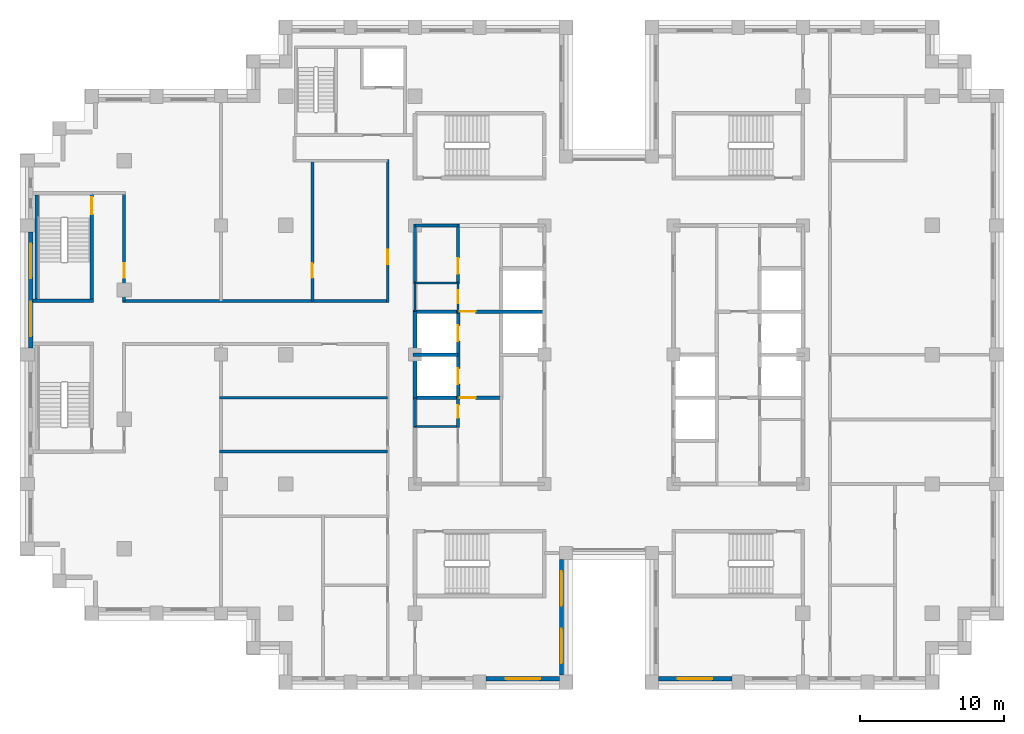
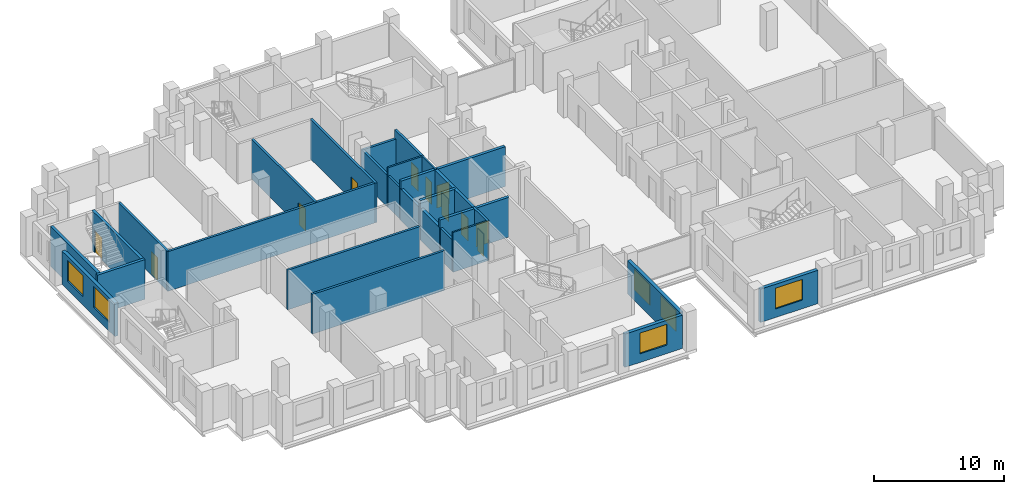
# One storey, part 7 of 15: 27 walls, 11 doors, 6 windows, 17 openings.
"""IFC4 building model written with IfcOpenShell, lengths in metres."""

from ifc_helpers import new_model, si_unit, direction, frame, frame_2d, origin, place, context, subcontext, project, spatial, rectangle, extrude, material, layer, layer_set, type_object, element, fill, save


model = new_model("IFC4")

# Units and contexts
model_context = context("Model", 3, precision=1e-05, world=origin(), true_north=direction((0.0, 1.0)))
body_context = subcontext(model_context, "Body", "Model", "MODEL_VIEW")
ifc_project = project(units=[si_unit("LENGTHUNIT", "METRE"), si_unit("AREAUNIT", "SQUARE_METRE"), si_unit("VOLUMEUNIT", "CUBIC_METRE"), si_unit("PLANEANGLEUNIT", "RADIAN"), si_unit("MASSUNIT", "GRAM", prefix="KILO")], contexts=[model_context])

# Site, building, storey
site_placement = place(None, origin())
site = spatial("IfcSite", under=ifc_project, at=site_placement, CompositionType="ELEMENT")
building_placement = place(site_placement, origin())
building = spatial("IfcBuilding", under=site, at=building_placement, Name="Corbelhall Arena Tower", CompositionType="ELEMENT")
storey_placement = place(building_placement, frame((0.0, 0.0, 208.0)))
storey = spatial("IfcBuildingStorey", under=building, at=storey_placement, Name="L43", CompositionType="ELEMENT", Elevation=208.0)

# Wall, openings, windows
ifc_material_1 = material(Name="Precast concrete C40/50 with granite facing", Category="masonry")
ifc_layer_1 = layer(ifc_material_1, 0.300048828125)
ifc_layer_set_1 = layer_set([ifc_layer_1], Name="EV-IW1 Infill panel 300")
wall_type_1 = type_object("IfcWallType", Name="EV-IW1 Infill panel 300", PredefinedType="SOLIDWALL", material=ifc_layer_set_1)
wall_1_placement = place(storey_placement, frame((-40.25, 8.550048828125, 0.0), z_axis=(0.0, 0.0, 1.0), x_axis=(0.0, -1.0, 0.0)))
wall_1 = element("IfcWall", 1, at=wall_1_placement, inside=storey, type_object=wall_type_1, Name="Infill panel IW1", PredefinedType="SOLIDWALL", context=body_context, shape_type="SweptSolid", body=[
    extrude(rectangle(XDim=8.10009765625, YDim=0.300048828125, at=frame_2d((4.050048828125, 0.0))), origin(), (0.0, 0.0, 1.0), 3.1201171875),
])
opening_1_placement = place(wall_1_placement, frame((0.824951171875, 0.0, 0.800048828125)))
opening_1 = element("IfcOpeningElement", 2, at=opening_1_placement, cuts=wall_1, Name="Opening WN1", PredefinedType="OPENING", context=body_context, shape_type="SweptSolid", body=[
    extrude(rectangle(XDim=2.39990234375, YDim=1.949951171875, at=frame_2d((1.199951171875, 0.97509765625))), frame((0.0, 0.14990234375, 0.0), z_axis=(0.0, -1.0, 0.0), x_axis=(1.0, 0.0, 0.0)), (0.0, 0.0, 1.0), 0.300048828125),
])
opening_2_placement = place(wall_1_placement, frame((4.875, 0.0, 0.800048828125)))
opening_2 = element("IfcOpeningElement", 3, at=opening_2_placement, cuts=wall_1, Name="Opening WN1", PredefinedType="OPENING", context=body_context, shape_type="SweptSolid", body=[
    extrude(rectangle(XDim=2.39990234375, YDim=1.949951171875, at=frame_2d((1.199951171875, 0.97509765625))), frame((0.0, 0.14990234375, 0.0), z_axis=(0.0, -1.0, 0.0), x_axis=(1.0, 0.0, 0.0)), (0.0, 0.0, 1.0), 0.300048828125),
])
ifc_material_2 = material(Name="Aluminium black anodised", Category="aluminium")
window_type = type_object("IfcWindowType", Name="EV-WN1 Office window", PartitioningType="SINGLE_PANEL", PredefinedType="WINDOW", material=ifc_material_2)
window_1_placement = place(opening_1_placement, origin())
window_1 = element("IfcWindow", 4, at=window_1_placement, inside=storey, type_object=window_type, Name="Window WN1", OverallHeight=1.949951171875, OverallWidth=2.39990234375, PartitioningType="SINGLE_PANEL", PredefinedType="WINDOW", context=body_context, shape_type="SweptSolid", body=[
    extrude(rectangle(XDim=2.39990234375, YDim=1.949951171875, at=frame_2d((1.199951171875, 0.97509765625))), frame((0.0, 0.030029296875, 0.0), z_axis=(0.0, -1.0, 0.0), x_axis=(1.0, 0.0, 0.0)), (0.0, 0.0, 1.0), 0.06005859375),
])
fill(opening_1, window_1)
window_2_placement = place(opening_2_placement, origin())
window_2 = element("IfcWindow", 5, at=window_2_placement, inside=storey, type_object=window_type, Name="Window WN1", OverallHeight=1.949951171875, OverallWidth=2.39990234375, PartitioningType="SINGLE_PANEL", PredefinedType="WINDOW", context=body_context, shape_type="SweptSolid", body=[
    extrude(rectangle(XDim=2.39990234375, YDim=1.949951171875, at=frame_2d((1.199951171875, 0.97509765625))), frame((0.0, 0.030029296875, 0.0), z_axis=(0.0, -1.0, 0.0), x_axis=(1.0, 0.0, 0.0)), (0.0, 0.0, 1.0), 0.06005859375),
])
fill(opening_2, window_2)

# Wall, opening, window
wall_2_placement = place(storey_placement, frame((-8.550048828125, -22.550048828125, 0.0), z_axis=(0.0, 0.0, 1.0), x_axis=(1.0, 0.0, 0.0)))
wall_2 = element("IfcWall", 6, at=wall_2_placement, inside=storey, type_object=wall_type_1, Name="Infill panel IW1", PredefinedType="SOLIDWALL", context=body_context, shape_type="SweptSolid", body=[
    extrude(rectangle(XDim=5.10009765625, YDim=0.300048828125, at=frame_2d((2.550048828125, 0.0))), origin(), (0.0, 0.0, 1.0), 3.1201171875),
])
opening_3_placement = place(wall_2_placement, frame((1.35009765625, 0.0, 0.800048828125)))
opening_3 = element("IfcOpeningElement", 7, at=opening_3_placement, cuts=wall_2, Name="Opening WN1", PredefinedType="OPENING", context=body_context, shape_type="SweptSolid", body=[
    extrude(rectangle(XDim=2.39990234375, YDim=1.949951171875, at=frame_2d((1.199951171875, 0.97509765625))), frame((0.0, 0.14990234375, 0.0), z_axis=(0.0, -1.0, 0.0), x_axis=(1.0, 0.0, 0.0)), (0.0, 0.0, 1.0), 0.300048828125),
])
window_3_placement = place(opening_3_placement, origin())
window_3 = element("IfcWindow", 8, at=window_3_placement, inside=storey, type_object=window_type, Name="Window WN1", OverallHeight=1.949951171875, OverallWidth=2.39990234375, PartitioningType="SINGLE_PANEL", PredefinedType="WINDOW", context=body_context, shape_type="SweptSolid", body=[
    extrude(rectangle(XDim=2.39990234375, YDim=1.949951171875, at=frame_2d((1.199951171875, 0.97509765625))), frame((0.0, 0.030029296875, 0.0), z_axis=(0.0, -1.0, 0.0), x_axis=(1.0, 0.0, 0.0)), (0.0, 0.0, 1.0), 0.06005859375),
])
fill(opening_3, window_3)

# Wall, openings, windows
wall_3_placement = place(storey_placement, frame((-3.300048828125, -22.300048828125, 0.0), z_axis=(0.0, 0.0, 1.0), x_axis=(0.0, 1.0, 0.0)))
wall_3 = element("IfcWall", 9, at=wall_3_placement, inside=storey, type_object=wall_type_1, Name="Infill panel IW1", PredefinedType="SOLIDWALL", context=body_context, shape_type="SweptSolid", body=[
    extrude(rectangle(XDim=8.050048828125, YDim=0.300048828125, at=frame_2d((4.02490234375, 0.0))), origin(), (0.0, 0.0, 1.0), 3.1201171875),
])
opening_4_placement = place(wall_3_placement, frame((0.8125, 0.0, 0.800048828125)))
opening_4 = element("IfcOpeningElement", 10, at=opening_4_placement, cuts=wall_3, Name="Opening WN1", PredefinedType="OPENING", context=body_context, shape_type="SweptSolid", body=[
    extrude(rectangle(XDim=2.39990234375, YDim=1.949951171875, at=frame_2d((1.199951171875, 0.97509765625))), frame((0.0, 0.14990234375, 0.0), z_axis=(0.0, -1.0, 0.0), x_axis=(1.0, 0.0, 0.0)), (0.0, 0.0, 1.0), 0.300048828125),
])
opening_5_placement = place(wall_3_placement, frame((4.83740234375, 0.0, 0.800048828125)))
opening_5 = element("IfcOpeningElement", 11, at=opening_5_placement, cuts=wall_3, Name="Opening WN1", PredefinedType="OPENING", context=body_context, shape_type="SweptSolid", body=[
    extrude(rectangle(XDim=2.39990234375, YDim=1.949951171875, at=frame_2d((1.199951171875, 0.97509765625))), frame((0.0, 0.14990234375, 0.0), z_axis=(0.0, -1.0, 0.0), x_axis=(1.0, 0.0, 0.0)), (0.0, 0.0, 1.0), 0.300048828125),
])
window_4_placement = place(opening_4_placement, origin())
window_4 = element("IfcWindow", 12, at=window_4_placement, inside=storey, type_object=window_type, Name="Window WN1", OverallHeight=1.949951171875, OverallWidth=2.39990234375, PartitioningType="SINGLE_PANEL", PredefinedType="WINDOW", context=body_context, shape_type="SweptSolid", body=[
    extrude(rectangle(XDim=2.39990234375, YDim=1.949951171875, at=frame_2d((1.199951171875, 0.97509765625))), frame((0.0, 0.030029296875, 0.0), z_axis=(0.0, -1.0, 0.0), x_axis=(1.0, 0.0, 0.0)), (0.0, 0.0, 1.0), 0.06005859375),
])
fill(opening_4, window_4)
window_5_placement = place(opening_5_placement, origin())
window_5 = element("IfcWindow", 13, at=window_5_placement, inside=storey, type_object=window_type, Name="Window WN1", OverallHeight=1.949951171875, OverallWidth=2.39990234375, PartitioningType="SINGLE_PANEL", PredefinedType="WINDOW", context=body_context, shape_type="SweptSolid", body=[
    extrude(rectangle(XDim=2.39990234375, YDim=1.949951171875, at=frame_2d((1.199951171875, 0.97509765625))), frame((0.0, 0.030029296875, 0.0), z_axis=(0.0, -1.0, 0.0), x_axis=(1.0, 0.0, 0.0)), (0.0, 0.0, 1.0), 0.06005859375),
])
fill(opening_5, window_5)

# Wall, opening, window
wall_4_placement = place(storey_placement, frame((3.449951171875, -22.550048828125, 0.0), z_axis=(0.0, 0.0, 1.0), x_axis=(1.0, 0.0, 0.0)))
wall_4 = element("IfcWall", 14, at=wall_4_placement, inside=storey, type_object=wall_type_1, Name="Infill panel IW1", PredefinedType="SOLIDWALL", context=body_context, shape_type="SweptSolid", body=[
    extrude(rectangle(XDim=5.10009765625, YDim=0.300048828125, at=frame_2d((2.550048828125, 0.0))), origin(), (0.0, 0.0, 1.0), 3.1201171875),
])
opening_6_placement = place(wall_4_placement, frame((1.35009765625, 0.0, 0.800048828125)))
opening_6 = element("IfcOpeningElement", 15, at=opening_6_placement, cuts=wall_4, Name="Opening WN1", PredefinedType="OPENING", context=body_context, shape_type="SweptSolid", body=[
    extrude(rectangle(XDim=2.39990234375, YDim=1.949951171875, at=frame_2d((1.199951171875, 0.97509765625))), frame((0.0, 0.14990234375, 0.0), z_axis=(0.0, -1.0, 0.0), x_axis=(1.0, 0.0, 0.0)), (0.0, 0.0, 1.0), 0.300048828125),
])
window_6_placement = place(opening_6_placement, origin())
window_6 = element("IfcWindow", 16, at=window_6_placement, inside=storey, type_object=window_type, Name="Window WN1", OverallHeight=1.949951171875, OverallWidth=2.39990234375, PartitioningType="SINGLE_PANEL", PredefinedType="WINDOW", context=body_context, shape_type="SweptSolid", body=[
    extrude(rectangle(XDim=2.39990234375, YDim=1.949951171875, at=frame_2d((1.199951171875, 0.97509765625))), frame((0.0, 0.030029296875, 0.0), z_axis=(0.0, -1.0, 0.0), x_axis=(1.0, 0.0, 0.0)), (0.0, 0.0, 1.0), 0.06005859375),
])
fill(opening_6, window_6)

# Wall
ifc_material_3 = material(Name="Gypsum board on steel stud, acoustic", Category="steel")
ifc_layer_2 = layer(ifc_material_3, 0.199951171875)
ifc_layer_set_2 = layer_set([ifc_layer_2], Name="IN-W-DM200")
wall_type_2 = type_object("IfcWallType", Name="IN-W-DM200", PredefinedType="PARTITIONING", material=ifc_layer_set_2)
wall_5_placement = place(storey_placement, frame((-33.85009765625, 3.75, 0.0), z_axis=(0.0, 0.0, 1.0), x_axis=(1.0, 0.0, 0.0)))
element("IfcWall", 17, at=wall_5_placement, inside=storey, type_object=wall_type_2, Name="Partition 002", PredefinedType="PARTITIONING", context=body_context, shape_type="SweptSolid", body=[
    extrude(rectangle(XDim=18.4501953125, YDim=0.199951171875, at=frame_2d((9.22509765625, 0.0))), origin(), (0.0, 0.0, 1.0), 3.719970703125),
])

# Wall, opening, door
wall_6_placement = place(storey_placement, frame((-33.75, 11.25, 0.0), z_axis=(0.0, 0.0, 1.0), x_axis=(0.0, -1.0, 0.0)))
wall_6 = element("IfcWall", 18, at=wall_6_placement, inside=storey, type_object=wall_type_2, Name="Partition 005", PredefinedType="PARTITIONING", context=body_context, shape_type="SweptSolid", body=[
    extrude(rectangle(XDim=7.5, YDim=0.199951171875, at=frame_2d((3.75, 0.0))), origin(), (0.0, 0.0, 1.0), 3.719970703125),
])
opening_7_placement = place(wall_6_placement, frame((4.89990234375, 0.0, 0.0)))
opening_7 = element("IfcOpeningElement", 19, at=opening_7_placement, cuts=wall_6, Name="Opening 13040", PredefinedType="OPENING", context=body_context, shape_type="SweptSolid", body=[
    extrude(rectangle(XDim=1.0, YDim=2.10009765625, at=frame_2d((0.5, 1.050048828125))), frame((0.0, 0.10009765625, 0.0), z_axis=(0.0, -1.0, 0.0), x_axis=(1.0, 0.0, 0.0)), (0.0, 0.0, 1.0), 0.199951171875),
])
ifc_material_4 = material(Name="Steel door set", Category="steel")
door_type_1 = type_object("IfcDoorType", Name="IN-D-SW100", OperationType="NOTDEFINED", PredefinedType="DOOR", material=ifc_material_4)
door_1_placement = place(opening_7_placement, origin())
door_1 = element("IfcDoor", 20, at=door_1_placement, inside=storey, type_object=door_type_1, Name="Door 040", OperationType="SINGLE_SWING_LEFT", OverallHeight=2.10009765625, OverallWidth=1.0, PredefinedType="DOOR", context=body_context, shape_type="SweptSolid", body=[
    extrude(rectangle(XDim=1.0, YDim=2.10009765625, at=frame_2d((0.5, 1.050048828125))), frame((0.0, 0.02490234375, 0.0), z_axis=(0.0, -1.0, 0.0), x_axis=(1.0, 0.0, 0.0)), (0.0, 0.0, 1.0), 0.050048828125),
])
fill(opening_7, door_1)

# Walls
for number, where, z_axis, x_axis, name in (
    (21, (-27.10009765625, -6.75, 0.0), (0.0, 0.0, 1.0), (1.0, 0.0, 0.0), "Partition 007"),
    (22, (-27.10009765625, -3.0, 0.0), (0.0, 0.0, 1.0), (1.0, 0.0, 0.0), "Partition 008"),
):
    element("IfcWall", number, at=place(storey_placement, frame(where, z_axis=z_axis, x_axis=x_axis)), inside=storey, type_object=wall_type_2, Name=name, PredefinedType="PARTITIONING", context=body_context, shape_type="SweptSolid", body=[
        extrude(rectangle(XDim=11.7001953125, YDim=0.199951171875, at=frame_2d((5.85009765625, 0.0))), origin(), (0.0, 0.0, 1.0), 3.719970703125),
    ])

# Wall, opening, door
wall_7_placement = place(storey_placement, frame((-20.64990234375, 3.75, 0.0), z_axis=(0.0, 0.0, 1.0), x_axis=(0.0, 1.0, 0.0)))
wall_7 = element("IfcWall", 23, at=wall_7_placement, inside=storey, type_object=wall_type_2, Name="Partition 013", PredefinedType="PARTITIONING", context=body_context, shape_type="SweptSolid", body=[
    extrude(rectangle(XDim=9.75, YDim=0.199951171875, at=frame_2d((4.875, 0.0))), origin(), (0.0, 0.0, 1.0), 3.719970703125),
])
opening_8_placement = place(wall_7_placement, frame((1.60009765625, 0.0, 0.0)))
opening_8 = element("IfcOpeningElement", 24, at=opening_8_placement, cuts=wall_7, Name="Opening 13025", PredefinedType="OPENING", context=body_context, shape_type="SweptSolid", body=[
    extrude(rectangle(XDim=1.0, YDim=2.10009765625, at=frame_2d((0.5, 1.050048828125))), frame((0.0, 0.10009765625, 0.0), z_axis=(0.0, -1.0, 0.0), x_axis=(1.0, 0.0, 0.0)), (0.0, 0.0, 1.0), 0.199951171875),
])
door_2_placement = place(opening_8_placement, origin())
door_2 = element("IfcDoor", 25, at=door_2_placement, inside=storey, type_object=door_type_1, Name="Door 025", OperationType="SINGLE_SWING_RIGHT", OverallHeight=2.10009765625, OverallWidth=1.0, PredefinedType="DOOR", context=body_context, shape_type="SweptSolid", body=[
    extrude(rectangle(XDim=1.0, YDim=2.10009765625, at=frame_2d((0.5, 1.050048828125))), frame((0.0, 0.02490234375, 0.0), z_axis=(0.0, -1.0, 0.0), x_axis=(1.0, 0.0, 0.0)), (0.0, 0.0, 1.0), 0.050048828125),
])
fill(opening_8, door_2)

wall_8_placement = place(storey_placement, frame((-15.39990234375, 3.64990234375, 0.0), z_axis=(0.0, 0.0, 1.0), x_axis=(0.0, 1.0, 0.0)))
wall_8 = element("IfcWall", 26, at=wall_8_placement, inside=storey, type_object=wall_type_2, Name="Partition 018", PredefinedType="PARTITIONING", context=body_context, shape_type="SweptSolid", body=[
    extrude(rectangle(XDim=9.9501953125, YDim=0.199951171875, at=frame_2d((4.97509765625, 0.0))), origin(), (0.0, 0.0, 1.0), 3.719970703125),
])
opening_9_placement = place(wall_8_placement, frame((2.64990234375, 0.0, 0.0)))
opening_9 = element("IfcOpeningElement", 27, at=opening_9_placement, cuts=wall_8, Name="Opening 13024", PredefinedType="OPENING", context=body_context, shape_type="SweptSolid", body=[
    extrude(rectangle(XDim=1.0, YDim=2.10009765625, at=frame_2d((0.5, 1.050048828125))), frame((0.0, 0.10009765625, 0.0), z_axis=(0.0, -1.0, 0.0), x_axis=(1.0, 0.0, 0.0)), (0.0, 0.0, 1.0), 0.199951171875),
])
door_3_placement = place(opening_9_placement, origin())
door_3 = element("IfcDoor", 28, at=door_3_placement, inside=storey, type_object=door_type_1, Name="Door 024", OperationType="SINGLE_SWING_LEFT", OverallHeight=2.10009765625, OverallWidth=1.0, PredefinedType="DOOR", context=body_context, shape_type="SweptSolid", body=[
    extrude(rectangle(XDim=1.0, YDim=2.10009765625, at=frame_2d((0.5, 1.050048828125))), frame((0.0, 0.02490234375, 0.0), z_axis=(0.0, -1.0, 0.0), x_axis=(1.0, 0.0, 0.0)), (0.0, 0.0, 1.0), 0.050048828125),
])
fill(opening_9, door_3)

ifc_material_5 = material(Name="Concrete block wall", Category="concrete")
ifc_layer_3 = layer(ifc_material_5, 0.199951171875)
ifc_layer_set_3 = layer_set([ifc_layer_3], Name="IN-W-RS200")
wall_type_3 = type_object("IfcWallType", Name="IN-W-RS200", PredefinedType="SOLIDWALL", material=ifc_layer_set_3)
wall_9_placement = place(storey_placement, frame((-10.5, -5.074951171875, 0.0), z_axis=(0.0, 0.0, 1.0), x_axis=(0.0, 1.0, 0.0)))
wall_9 = element("IfcWall", 29, at=wall_9_placement, inside=storey, type_object=wall_type_3, Name="Partition 037", PredefinedType="SOLIDWALL", context=body_context, shape_type="SweptSolid", body=[
    extrude(rectangle(XDim=2.199951171875, YDim=0.199951171875, at=frame_2d((1.10009765625, 0.0))), origin(), (0.0, 0.0, 1.0), 3.719970703125),
])
opening_10_placement = place(wall_9_placement, frame((0.669921875, 0.0, 0.0)))
opening_10 = element("IfcOpeningElement", 30, at=opening_10_placement, cuts=wall_9, Name="Opening 13042", PredefinedType="OPENING", context=body_context, shape_type="SweptSolid", body=[
    extrude(rectangle(XDim=0.89990234375, YDim=2.10009765625, at=frame_2d((0.449951171875, 1.050048828125))), frame((0.0, 0.10009765625, 0.0), z_axis=(0.0, -1.0, 0.0), x_axis=(1.0, 0.0, 0.0)), (0.0, 0.0, 1.0), 0.199951171875),
])
ifc_material_6 = material(Name="Timber door set", Category="wood")
door_type_2 = type_object("IfcDoorType", Name="IN-D-SW90", OperationType="NOTDEFINED", PredefinedType="DOOR", material=ifc_material_6)
door_4_placement = place(opening_10_placement, origin())
door_4 = element("IfcDoor", 31, at=door_4_placement, inside=storey, type_object=door_type_2, Name="Door 042", OperationType="SINGLE_SWING_LEFT", OverallHeight=2.10009765625, OverallWidth=0.89990234375, PredefinedType="DOOR", context=body_context, shape_type="SweptSolid", body=[
    extrude(rectangle(XDim=0.89990234375, YDim=2.10009765625, at=frame_2d((0.449951171875, 1.050048828125))), frame((0.0, 0.02490234375, 0.0), z_axis=(0.0, -1.0, 0.0), x_axis=(1.0, 0.0, 0.0)), (0.0, 0.0, 1.0), 0.050048828125),
])
fill(opening_10, door_4)

wall_10_placement = place(storey_placement, frame((-10.5, 4.925048828125, 0.0), z_axis=(0.0, 0.0, 1.0), x_axis=(0.0, 1.0, 0.0)))
wall_10 = element("IfcWall", 32, at=wall_10_placement, inside=storey, type_object=wall_type_3, Name="Partition 038", PredefinedType="SOLIDWALL", context=body_context, shape_type="SweptSolid", body=[
    extrude(rectangle(XDim=4.175048828125, YDim=0.199951171875, at=frame_2d((2.08740234375, 0.0))), origin(), (0.0, 0.0, 1.0), 3.719970703125),
])
opening_11_placement = place(wall_10_placement, frame((0.699951171875, 0.0, 0.0)))
opening_11 = element("IfcOpeningElement", 33, at=opening_11_placement, cuts=wall_10, Name="Opening 13007", PredefinedType="OPENING", context=body_context, shape_type="SweptSolid", body=[
    extrude(rectangle(XDim=1.10009765625, YDim=2.10009765625, at=frame_2d((0.550048828125, 1.050048828125))), frame((0.0, 0.10009765625, 0.0), z_axis=(0.0, -1.0, 0.0), x_axis=(1.0, 0.0, 0.0)), (0.0, 0.0, 1.0), 0.199951171875),
])
door_type_3 = type_object("IfcDoorType", Name="IN-D-FD110", OperationType="NOTDEFINED", PredefinedType="DOOR", material=ifc_material_4)
door_5_placement = place(opening_11_placement, origin())
door_5 = element("IfcDoor", 34, at=door_5_placement, inside=storey, type_object=door_type_3, Name="Door 007", OperationType="SINGLE_SWING_RIGHT", OverallHeight=2.10009765625, OverallWidth=1.10009765625, PredefinedType="DOOR", context=body_context, shape_type="SweptSolid", body=[
    extrude(rectangle(XDim=1.10009765625, YDim=2.10009765625, at=frame_2d((0.550048828125, 1.050048828125))), frame((0.0, 0.02490234375, 0.0), z_axis=(0.0, -1.0, 0.0), x_axis=(1.0, 0.0, 0.0)), (0.0, 0.0, 1.0), 0.050048828125),
])
fill(opening_11, door_5)

# Walls
ifc_layer_4 = layer(ifc_material_5, 0.199951171875)
ifc_layer_set_4 = layer_set([ifc_layer_4], Name="IN-W-RS200 under beam 762 mm")
wall_type_4 = type_object("IfcWallType", Name="IN-W-RS200 under beam 762 mm", PredefinedType="SOLIDWALL", material=ifc_layer_set_4)
wall_11_placement = place(storey_placement, frame((-13.5, -5.0, 0.0), z_axis=(0.0, 0.0, 1.0), x_axis=(0.0, 1.0, 0.0)))
element("IfcWall", 35, at=wall_11_placement, inside=storey, type_object=wall_type_4, Name="Partition 034", PredefinedType="SOLIDWALL", context=body_context, shape_type="SweptSolid", body=[
    extrude(rectangle(XDim=2.0, YDim=0.199951171875, at=frame_2d((1.0, 0.0))), origin(), (0.0, 0.0, 1.0), 2.9580078125),
])
wall_12_placement = place(storey_placement, frame((-13.5, 5.0, 0.0), z_axis=(0.0, 0.0, 1.0), x_axis=(0.0, 1.0, 0.0)))
element("IfcWall", 36, at=wall_12_placement, inside=storey, type_object=wall_type_4, Name="Partition 035", PredefinedType="SOLIDWALL", context=body_context, shape_type="SweptSolid", body=[
    extrude(rectangle(XDim=4.10009765625, YDim=0.199951171875, at=frame_2d((2.050048828125, 0.0))), origin(), (0.0, 0.0, 1.0), 2.9580078125),
])
wall_13_placement = place(storey_placement, frame((-13.5, 9.0, 0.0), z_axis=(0.0, 0.0, 1.0), x_axis=(1.0, 0.0, 0.0)))
element("IfcWall", 37, at=wall_13_placement, inside=storey, type_object=wall_type_4, Name="Partition 036", PredefinedType="SOLIDWALL", context=body_context, shape_type="SweptSolid", body=[
    extrude(rectangle(XDim=3.0, YDim=0.199951171875, at=frame_2d((1.5, 0.0))), origin(), (0.0, 0.0, 1.0), 2.9580078125),
])
ifc_material_7 = material(Name="Concrete C40/50", Category="concrete")
ifc_layer_5 = layer(ifc_material_7, 0.25)
ifc_layer_set_5 = layer_set([ifc_layer_5], Name="IN-W-SH250")
wall_type_5 = type_object("IfcWallType", Name="IN-W-SH250", PredefinedType="SOLIDWALL", material=ifc_layer_set_5)
wall_14_placement = place(storey_placement, frame((-13.625, 0.0, 0.0), z_axis=(0.0, 0.0, 1.0), x_axis=(1.0, 0.0, 0.0)))
element("IfcWall", 38, at=wall_14_placement, inside=storey, type_object=wall_type_5, Name="Shaft wall 056", PredefinedType="SOLIDWALL", context=body_context, shape_type="SweptSolid", body=[
    extrude(rectangle(XDim=3.125, YDim=0.25, at=frame_2d((1.5625, 0.0))), origin(), (0.0, 0.0, 1.0), 3.719970703125),
])

# Wall, opening, door
wall_15_placement = place(storey_placement, frame((-13.625, 3.0, 0.0), z_axis=(0.0, 0.0, 1.0), x_axis=(1.0, 0.0, 0.0)))
wall_15 = element("IfcWall", 39, at=wall_15_placement, inside=storey, type_object=wall_type_5, Name="Shaft wall 057", PredefinedType="SOLIDWALL", context=body_context, shape_type="SweptSolid", body=[
    extrude(rectangle(XDim=9.25, YDim=0.25, at=frame_2d((4.625, 0.0))), origin(), (0.0, 0.0, 1.0), 3.719970703125),
])
opening_12_placement = place(wall_15_placement, frame((3.25, 0.0, 0.0)))
opening_12 = element("IfcOpeningElement", 40, at=opening_12_placement, cuts=wall_15, Name="Opening 13004", PredefinedType="OPENING", context=body_context, shape_type="SweptSolid", body=[
    extrude(rectangle(XDim=1.10009765625, YDim=2.10009765625, at=frame_2d((0.550048828125, 1.050048828125))), frame((0.0, 0.125, 0.0), z_axis=(0.0, -1.0, 0.0), x_axis=(1.0, 0.0, 0.0)), (0.0, 0.0, 1.0), 0.25),
])
door_6_placement = place(opening_12_placement, origin())
door_6 = element("IfcDoor", 41, at=door_6_placement, inside=storey, type_object=door_type_3, Name="Door 004", OperationType="SINGLE_SWING_LEFT", OverallHeight=2.10009765625, OverallWidth=1.10009765625, PredefinedType="DOOR", context=body_context, shape_type="SweptSolid", body=[
    extrude(rectangle(XDim=1.10009765625, YDim=2.10009765625, at=frame_2d((0.550048828125, 1.050048828125))), frame((0.0, 0.02490234375, 0.0), z_axis=(0.0, -1.0, 0.0), x_axis=(1.0, 0.0, 0.0)), (0.0, 0.0, 1.0), 0.050048828125),
])
fill(opening_12, door_6)

wall_16_placement = place(storey_placement, frame((-13.625, -3.0, 0.0), z_axis=(0.0, 0.0, 1.0), x_axis=(1.0, 0.0, 0.0)))
wall_16 = element("IfcWall", 42, at=wall_16_placement, inside=storey, type_object=wall_type_5, Name="Shaft wall 059", PredefinedType="SOLIDWALL", context=body_context, shape_type="SweptSolid", body=[
    extrude(rectangle(XDim=6.125, YDim=0.25, at=frame_2d((3.0625, 0.0))), origin(), (0.0, 0.0, 1.0), 3.719970703125),
])
opening_13_placement = place(wall_16_placement, frame((3.25, 0.0, 0.0)))
opening_13 = element("IfcOpeningElement", 43, at=opening_13_placement, cuts=wall_16, Name="Opening 13003", PredefinedType="OPENING", context=body_context, shape_type="SweptSolid", body=[
    extrude(rectangle(XDim=1.10009765625, YDim=2.10009765625, at=frame_2d((0.550048828125, 1.050048828125))), frame((0.0, 0.125, 0.0), z_axis=(0.0, -1.0, 0.0), x_axis=(1.0, 0.0, 0.0)), (0.0, 0.0, 1.0), 0.25),
])
door_7_placement = place(opening_13_placement, origin())
door_7 = element("IfcDoor", 44, at=door_7_placement, inside=storey, type_object=door_type_3, Name="Door 003", OperationType="SINGLE_SWING_RIGHT", OverallHeight=2.10009765625, OverallWidth=1.10009765625, PredefinedType="DOOR", context=body_context, shape_type="SweptSolid", body=[
    extrude(rectangle(XDim=1.10009765625, YDim=2.10009765625, at=frame_2d((0.550048828125, 1.050048828125))), frame((0.0, 0.02490234375, 0.0), z_axis=(0.0, -1.0, 0.0), x_axis=(1.0, 0.0, 0.0)), (0.0, 0.0, 1.0), 0.050048828125),
])
fill(opening_13, door_7)

# Wall, openings, doors
wall_17_placement = place(storey_placement, frame((-10.5, -3.125, 0.0), z_axis=(0.0, 0.0, 1.0), x_axis=(0.0, 1.0, 0.0)))
wall_17 = element("IfcWall", 45, at=wall_17_placement, inside=storey, type_object=wall_type_5, Name="Shaft wall 060", PredefinedType="SOLIDWALL", context=body_context, shape_type="SweptSolid", body=[
    extrude(rectangle(XDim=6.25, YDim=0.25, at=frame_2d((3.125, 0.0))), origin(), (0.0, 0.0, 1.0), 3.719970703125),
])
opening_14_placement = place(wall_17_placement, frame((1.074951171875, 0.0, 0.0)))
opening_14 = element("IfcOpeningElement", 46, at=opening_14_placement, cuts=wall_17, Name="Opening LD", PredefinedType="OPENING", context=body_context, shape_type="SweptSolid", body=[
    extrude(rectangle(XDim=1.10009765625, YDim=2.10009765625, at=frame_2d((0.550048828125, 1.050048828125))), frame((0.0, 0.125, 0.0), z_axis=(0.0, -1.0, 0.0), x_axis=(1.0, 0.0, 0.0)), (0.0, 0.0, 1.0), 0.25),
])
opening_15_placement = place(wall_17_placement, frame((4.074951171875, 0.0, 0.0)))
opening_15 = element("IfcOpeningElement", 47, at=opening_15_placement, cuts=wall_17, Name="Opening LD", PredefinedType="OPENING", context=body_context, shape_type="SweptSolid", body=[
    extrude(rectangle(XDim=1.10009765625, YDim=2.10009765625, at=frame_2d((0.550048828125, 1.050048828125))), frame((0.0, 0.125, 0.0), z_axis=(0.0, -1.0, 0.0), x_axis=(1.0, 0.0, 0.0)), (0.0, 0.0, 1.0), 0.25),
])
door_type_4 = type_object("IfcDoorType", Name="IN-D-LD110", OperationType="NOTDEFINED", PredefinedType="DOOR", material=ifc_material_4)
door_8_placement = place(opening_14_placement, origin())
door_8 = element("IfcDoor", 48, at=door_8_placement, inside=storey, type_object=door_type_4, Name="Landing door W3", OperationType="SLIDING_TO_LEFT", OverallHeight=2.10009765625, OverallWidth=1.10009765625, PredefinedType="DOOR", context=body_context, shape_type="SweptSolid", body=[
    extrude(rectangle(XDim=1.10009765625, YDim=2.10009765625, at=frame_2d((0.550048828125, 1.050048828125))), frame((0.0, 0.02490234375, 0.0), z_axis=(0.0, -1.0, 0.0), x_axis=(1.0, 0.0, 0.0)), (0.0, 0.0, 1.0), 0.050048828125),
])
fill(opening_14, door_8)
door_9_placement = place(opening_15_placement, origin())
door_9 = element("IfcDoor", 49, at=door_9_placement, inside=storey, type_object=door_type_4, Name="Landing door W4", OperationType="SLIDING_TO_LEFT", OverallHeight=2.10009765625, OverallWidth=1.10009765625, PredefinedType="DOOR", context=body_context, shape_type="SweptSolid", body=[
    extrude(rectangle(XDim=1.10009765625, YDim=2.10009765625, at=frame_2d((0.550048828125, 1.050048828125))), frame((0.0, 0.02490234375, 0.0), z_axis=(0.0, -1.0, 0.0), x_axis=(1.0, 0.0, 0.0)), (0.0, 0.0, 1.0), 0.050048828125),
])
fill(opening_15, door_9)

# Walls
ifc_layer_6 = layer(ifc_material_7, 0.25)
ifc_layer_set_6 = layer_set([ifc_layer_6], Name="IN-W-SH250 under beam 762 mm")
wall_type_6 = type_object("IfcWallType", Name="IN-W-SH250 under beam 762 mm", PredefinedType="SOLIDWALL", material=ifc_layer_set_6)
wall_18_placement = place(storey_placement, frame((-13.5, -3.0, 0.0), z_axis=(0.0, 0.0, 1.0), x_axis=(0.0, 1.0, 0.0)))
element("IfcWall", 50, at=wall_18_placement, inside=storey, type_object=wall_type_6, Name="Shaft wall 058", PredefinedType="SOLIDWALL", context=body_context, shape_type="SweptSolid", body=[
    extrude(rectangle(XDim=6.0, YDim=0.25, at=frame_2d((3.0, 0.0))), origin(), (0.0, 0.0, 1.0), 2.9580078125),
])
ifc_layer_7 = layer(ifc_material_7, 0.25)
ifc_layer_set_7 = layer_set([ifc_layer_7], Name="IN-W-ST250")
wall_type_7 = type_object("IfcWallType", Name="IN-W-ST250", PredefinedType="SOLIDWALL", material=ifc_layer_set_7)
wall_19_placement = place(storey_placement, frame((-40.10009765625, 3.75, 0.0), z_axis=(0.0, 0.0, 1.0), x_axis=(1.0, 0.0, 0.0)))
element("IfcWall", 51, at=wall_19_placement, inside=storey, type_object=wall_type_7, Name="Shaft wall 075", PredefinedType="SOLIDWALL", context=body_context, shape_type="SweptSolid", body=[
    extrude(rectangle(XDim=4.22509765625, YDim=0.25, at=frame_2d((2.112548828125, 0.0))), origin(), (0.0, 0.0, 1.0), 3.719970703125),
])

# Wall, opening, door
wall_20_placement = place(storey_placement, frame((-36.0, 11.375, 0.0), z_axis=(0.0, 0.0, 1.0), x_axis=(0.0, -1.0, 0.0)))
wall_20 = element("IfcWall", 52, at=wall_20_placement, inside=storey, type_object=wall_type_7, Name="Shaft wall 079", PredefinedType="SOLIDWALL", context=body_context, shape_type="SweptSolid", body=[
    extrude(rectangle(XDim=7.625, YDim=0.25, at=frame_2d((3.8125, 0.0))), origin(), (0.0, 0.0, 1.0), 3.719970703125),
])
opening_16_placement = place(wall_20_placement, frame((0.39990234375, 0.0, 0.0)))
opening_16 = element("IfcOpeningElement", 53, at=opening_16_placement, cuts=wall_20, Name="Opening 13019", PredefinedType="OPENING", context=body_context, shape_type="SweptSolid", body=[
    extrude(rectangle(XDim=1.199951171875, YDim=2.10009765625, at=frame_2d((0.60009765625, 1.050048828125))), frame((0.0, 0.125, 0.0), z_axis=(0.0, -1.0, 0.0), x_axis=(1.0, 0.0, 0.0)), (0.0, 0.0, 1.0), 0.25),
])
door_type_5 = type_object("IfcDoorType", Name="IN-D-ST120", OperationType="NOTDEFINED", PredefinedType="DOOR", material=ifc_material_4)
door_10_placement = place(opening_16_placement, origin())
door_10 = element("IfcDoor", 54, at=door_10_placement, inside=storey, type_object=door_type_5, Name="Door 019", OperationType="SINGLE_SWING_RIGHT", OverallHeight=2.10009765625, OverallWidth=1.199951171875, PredefinedType="DOOR", context=body_context, shape_type="SweptSolid", body=[
    extrude(rectangle(XDim=1.199951171875, YDim=2.10009765625, at=frame_2d((0.60009765625, 1.050048828125))), frame((0.0, 0.02490234375, 0.0), z_axis=(0.0, -1.0, 0.0), x_axis=(1.0, 0.0, 0.0)), (0.0, 0.0, 1.0), 0.050048828125),
])
fill(opening_16, door_10)

# Walls
wall_21_placement = place(storey_placement, frame((-39.824951171875, 3.875, 0.0), z_axis=(0.0, 0.0, 1.0), x_axis=(0.0, 1.0, 0.0)))
element("IfcWall", 55, at=wall_21_placement, inside=storey, type_object=wall_type_7, Name="Shaft wall SC1 facade side", PredefinedType="SOLIDWALL", context=body_context, shape_type="SweptSolid", body=[
    extrude(rectangle(XDim=7.25, YDim=0.25, at=frame_2d((3.625, 0.0))), origin(), (0.0, 0.0, 1.0), 3.719970703125),
])
ifc_material_8 = material(Name="Gypsum board on steel stud, moisture resistant", Category="steel")
ifc_layer_8 = layer(ifc_material_8, 0.14990234375)
ifc_layer_set_8 = layer_set([ifc_layer_8], Name="IN-W-WC150")
wall_type_8 = type_object("IfcWallType", Name="IN-W-WC150", PredefinedType="PARTITIONING", material=ifc_layer_set_8)
for number, where, z_axis, x_axis, name in (
    (56, (-13.60009765625, -5.0, 0.0), (0.0, 0.0, 1.0), (1.0, 0.0, 0.0), "Partition 098"),
    (57, (-13.60009765625, 5.0, 0.0), (0.0, 0.0, 1.0), (1.0, 0.0, 0.0), "Partition 099"),
):
    element("IfcWall", number, at=place(storey_placement, frame(where, z_axis=z_axis, x_axis=x_axis)), inside=storey, type_object=wall_type_8, Name=name, PredefinedType="PARTITIONING", context=body_context, shape_type="SweptSolid", body=[
        extrude(rectangle(XDim=3.10009765625, YDim=0.14990234375, at=frame_2d((1.550048828125, 0.0))), origin(), (0.0, 0.0, 1.0), 3.719970703125),
    ])

# Wall, opening, door
wall_22_placement = place(storey_placement, frame((-10.5, 2.875, 0.0), z_axis=(0.0, 0.0, 1.0), x_axis=(0.0, 1.0, 0.0)))
wall_22 = element("IfcWall", 58, at=wall_22_placement, inside=storey, type_object=wall_type_8, Name="Partition 104", PredefinedType="PARTITIONING", context=body_context, shape_type="SweptSolid", body=[
    extrude(rectangle(XDim=2.199951171875, YDim=0.14990234375, at=frame_2d((1.10009765625, 0.0))), origin(), (0.0, 0.0, 1.0), 3.719970703125),
])
opening_17_placement = place(wall_22_placement, frame((0.699951171875, 0.0, 0.0)))
opening_17 = element("IfcOpeningElement", 59, at=opening_17_placement, cuts=wall_22, Name="Opening 13006", PredefinedType="OPENING", context=body_context, shape_type="SweptSolid", body=[
    extrude(rectangle(XDim=0.89990234375, YDim=2.10009765625, at=frame_2d((0.449951171875, 1.050048828125))), frame((0.0, 0.074951171875, 0.0), z_axis=(0.0, -1.0, 0.0), x_axis=(1.0, 0.0, 0.0)), (0.0, 0.0, 1.0), 0.14990234375),
])
door_11_placement = place(opening_17_placement, origin())
door_11 = element("IfcDoor", 60, at=door_11_placement, inside=storey, type_object=door_type_2, Name="Door 006", OperationType="SINGLE_SWING_LEFT", OverallHeight=2.10009765625, OverallWidth=0.89990234375, PredefinedType="DOOR", context=body_context, shape_type="SweptSolid", body=[
    extrude(rectangle(XDim=0.89990234375, YDim=2.10009765625, at=frame_2d((0.449951171875, 1.050048828125))), frame((0.0, 0.02490234375, 0.0), z_axis=(0.0, -1.0, 0.0), x_axis=(1.0, 0.0, 0.0)), (0.0, 0.0, 1.0), 0.050048828125),
])
fill(opening_17, door_11)

# Wall
ifc_layer_9 = layer(ifc_material_8, 0.14990234375)
ifc_layer_set_9 = layer_set([ifc_layer_9], Name="IN-W-WC150 under beam 762 mm")
wall_type_9 = type_object("IfcWallType", Name="IN-W-WC150 under beam 762 mm", PredefinedType="PARTITIONING", material=ifc_layer_set_9)
wall_23_placement = place(storey_placement, frame((-13.5, 3.0, 0.0), z_axis=(0.0, 0.0, 1.0), x_axis=(0.0, 1.0, 0.0)))
element("IfcWall", 61, at=wall_23_placement, inside=storey, type_object=wall_type_9, Name="Partition 101", PredefinedType="PARTITIONING", context=body_context, shape_type="SweptSolid", body=[
    extrude(rectangle(XDim=2.0, YDim=0.14990234375, at=frame_2d((1.0, 0.0))), origin(), (0.0, 0.0, 1.0), 2.9580078125),
])

save(model, "model.ifc")
